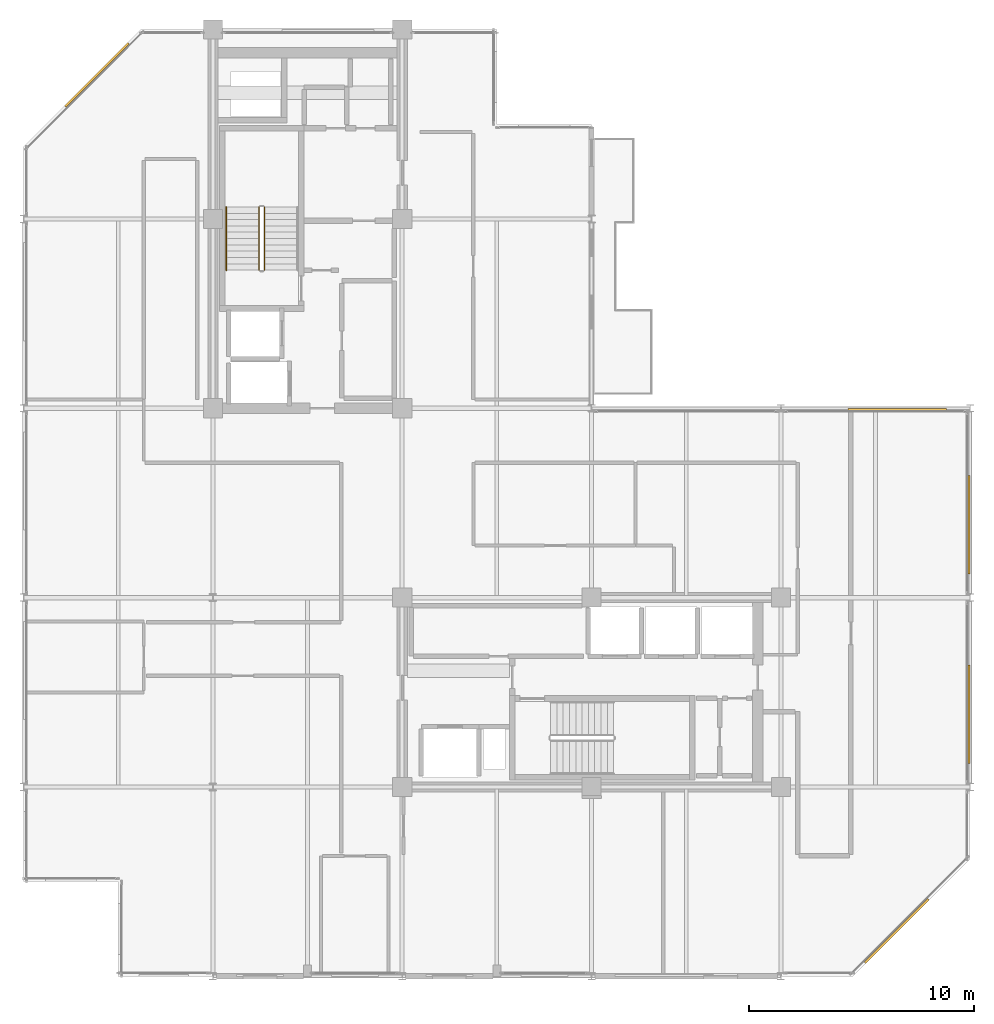
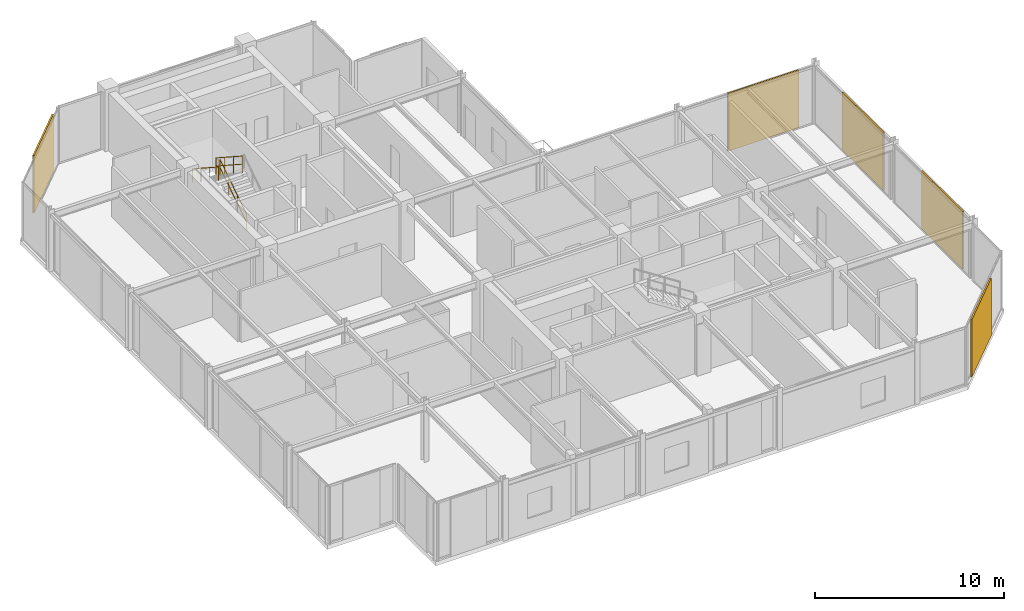
# One storey, part 25 of 26: 5 coverings, 3 railings.
"""IFC4 building model written with IfcOpenShell, lengths in metres."""

from ifc_helpers import new_model, si_unit, direction, frame, origin, origin_2d, place, context, subcontext, project, spatial, rectangle, circle, extrude, material, layer, layer_set, type_object, element, save


model = new_model("IFC4")

# Units and contexts
model_context = context("Model", 3, precision=1e-05, world=origin(), true_north=direction((0.0, 1.0)))
body_context = subcontext(model_context, "Body", "Model", "MODEL_VIEW")
ifc_project = project(units=[si_unit("LENGTHUNIT", "METRE"), si_unit("AREAUNIT", "SQUARE_METRE"), si_unit("VOLUMEUNIT", "CUBIC_METRE"), si_unit("PLANEANGLEUNIT", "RADIAN"), si_unit("MASSUNIT", "GRAM", prefix="KILO")], contexts=[model_context])

# Site, building, storey
site_placement = place(None, origin())
site = spatial("IfcSite", under=ifc_project, at=site_placement, CompositionType="ELEMENT")
building_placement = place(site_placement, origin())
building = spatial("IfcBuilding", under=site, at=building_placement, Name="Nerrivon Quay Data Exchange", CompositionType="ELEMENT")
storey_placement = place(building_placement, frame((0.0, 0.0, 270.199951171875)))
storey = spatial("IfcBuildingStorey", under=building, at=storey_placement, Name="L64", CompositionType="ELEMENT", Elevation=270.199951171875)

# Coverings
ifc_material_1 = material(Name="Architectural terracotta ceramic", Category="masonry")
ifc_layer = layer(ifc_material_1, 0.090087890625)
ifc_layer_set = layer_set([ifc_layer], Name="Architectural terracotta ceramic")
covering_type = type_object("IfcCoveringType", Name="COV-SCR-TERR", PredefinedType="CLADDING", material=ifc_layer_set)
for number, where, z_axis, x_axis, name in (
    (1, (38.744140625, 2.0078125, 0.0), (0.0, 0.0, 1.0), (-0.707106781187, -0.707106781187, 0.0), "L64 Perforated Terracotta SOLAR SCREEN Cassette"),
    (2, (3.255859375, 39.9921875, 0.0), (0.0, 0.0, 1.0), (0.707106781187, 0.707106781187, 0.0), "L64 Perforated Terracotta SOLAR SCREEN Cassette"),
):
    element("IfcCovering", number, at=place(storey_placement, frame(where, z_axis=z_axis, x_axis=x_axis)), inside=storey, type_object=covering_type, Name=name, PredefinedType="CLADDING", context=body_context, shape_type="SweptSolid", body=[
        extrude(rectangle(XDim=3.970947265625, YDim=0.090087890625, at=origin_2d()), origin(), (0.0, 0.0, 1.0), 3.72509765625),
    ])
covering_placement = place(storey_placement, frame((38.770751953125, 25.155029296875, 0.0), z_axis=(0.0, 0.0, 1.0), x_axis=(1.0, 0.0, 0.0)))
element("IfcCovering", 3, at=covering_placement, inside=storey, type_object=covering_type, Name="L64 Perforated Terracotta SOLAR SCREEN Cassette", PredefinedType="CLADDING", context=body_context, shape_type="SweptSolid", body=[
    extrude(rectangle(XDim=4.367919921875, YDim=0.090087890625, at=origin_2d()), origin(), (0.0, 0.0, 1.0), 3.72509765625),
])
for number, where, z_axis, x_axis, name in (
    (4, (41.955078125, 20.03125, 0.0), (0.0, 0.0, 1.0), (0.0, -1.0, 0.0), "L64 Perforated Terracotta SOLAR SCREEN Cassette"),
    (5, (41.955078125, 11.631103515625, 0.0), (0.0, 0.0, 1.0), (0.0, -1.0, 0.0), "L64 Perforated Terracotta SOLAR SCREEN Cassette"),
):
    element("IfcCovering", number, at=place(storey_placement, frame(where, z_axis=z_axis, x_axis=x_axis)), inside=storey, type_object=covering_type, Name=name, PredefinedType="CLADDING", context=body_context, shape_type="SweptSolid", body=[
        extrude(rectangle(XDim=4.35888671875, YDim=0.090087890625, at=origin_2d()), origin(), (0.0, 0.0, 1.0), 3.72509765625),
    ])

# Railings
ifc_material_2 = material(Name="Steel Grade C350L0 (350 MPa)", Category="steel")
railing_type_1 = type_object("IfcRailingType", Name="RAIL-HAND-HR1", PredefinedType="HANDRAIL", material=ifc_material_2)
railing_1_placement = place(storey_placement, frame((9.0, 34.1298828125, 2.181884765625)))
element("IfcRailing", 6, at=railing_1_placement, inside=storey, type_object=railing_type_1, Name="L64 ST01 stair handrail 2", PredefinedType="HANDRAIL", context=body_context, shape_type="SweptSolid", body=[
    extrude(circle(Radius=0.02392578125, at=origin_2d()), frame((0.0, 0.0, 0.8759765625), z_axis=(0.0, -0.83868413941, 0.544618136222), x_axis=(1.0, 0.0, 0.0)), (0.0, 0.0, 1.0), 3.33837890625),
    extrude(circle(Radius=0.02099609375, at=origin_2d()), origin(), (0.0, 0.0, 1.0), 0.851806640625),
    extrude(circle(Radius=0.02099609375, at=origin_2d()), frame((0.0, -0.933349609375, 0.60595703125)), (0.0, 0.0, 1.0), 0.851806640625),
    extrude(circle(Radius=0.02099609375, at=origin_2d()), frame((0.0, -1.866455078125, 1.212158203125)), (0.0, 0.0, 1.0), 0.851806640625),
    extrude(circle(Radius=0.02099609375, at=origin_2d()), frame((0.0, -2.7998046875, 1.818115234375)), (0.0, 0.0, 1.0), 0.851806640625),
])
railing_type_2 = type_object("IfcRailingType", Name="RAIL-STAIR-GR1", PredefinedType="BALUSTRADE", material=ifc_material_2)
railing_2_placement = place(storey_placement, frame((10.699951171875, 31.330078125, 0.181884765625)))
element("IfcRailing", 7, at=railing_2_placement, inside=storey, type_object=railing_type_2, Name="L64 ST01 stair guard 1", PredefinedType="BALUSTRADE", context=body_context, shape_type="SweptSolid", body=[
    extrude(circle(Radius=0.02392578125, at=origin_2d()), frame((0.0, 0.0, 1.076171875), z_axis=(0.0, 0.83868413941, 0.544618136222), x_axis=(-1.0, 0.0, 0.0)), (0.0, 0.0, 1.0), 3.33837890625),
    extrude(circle(Radius=0.02392578125, at=origin_2d()), frame((0.0, 0.0, 0.550048828125), z_axis=(0.0, 0.83868413941, 0.544618136222), x_axis=(-1.0, 0.0, 0.0)), (0.0, 0.0, 1.0), 3.33837890625),
    extrude(circle(Radius=0.02099609375, at=origin_2d()), origin(), (0.0, 0.0, 1.0), 1.052001953125),
    extrude(circle(Radius=0.02099609375, at=origin_2d()), frame((0.0, 0.933349609375, 0.60595703125)), (0.0, 0.0, 1.0), 1.052001953125),
    extrude(circle(Radius=0.02099609375, at=origin_2d()), frame((0.0, 1.866455078125, 1.212158203125)), (0.0, 0.0, 1.0), 1.052001953125),
    extrude(circle(Radius=0.02099609375, at=origin_2d()), frame((0.0, 2.7998046875, 1.818115234375)), (0.0, 0.0, 1.0), 1.052001953125),
])
railing_3_placement = place(storey_placement, frame((10.449951171875, 34.1298828125, 2.181884765625)))
element("IfcRailing", 8, at=railing_3_placement, inside=storey, type_object=railing_type_2, Name="L64 ST01 stair guard 3", PredefinedType="BALUSTRADE", context=body_context, shape_type="SweptSolid", body=[
    extrude(circle(Radius=0.02392578125, at=origin_2d()), frame((0.0, 0.0, 1.076171875), z_axis=(0.0, -0.83868413941, 0.544618136222), x_axis=(1.0, 0.0, 0.0)), (0.0, 0.0, 1.0), 3.33837890625),
    extrude(circle(Radius=0.02392578125, at=origin_2d()), frame((0.0, 0.0, 0.550048828125), z_axis=(0.0, -0.83868413941, 0.544618136222), x_axis=(1.0, 0.0, 0.0)), (0.0, 0.0, 1.0), 3.33837890625),
    extrude(circle(Radius=0.02099609375, at=origin_2d()), origin(), (0.0, 0.0, 1.0), 1.052001953125),
    extrude(circle(Radius=0.02099609375, at=origin_2d()), frame((0.0, -0.933349609375, 0.60595703125)), (0.0, 0.0, 1.0), 1.052001953125),
    extrude(circle(Radius=0.02099609375, at=origin_2d()), frame((0.0, -1.866455078125, 1.212158203125)), (0.0, 0.0, 1.0), 1.052001953125),
    extrude(circle(Radius=0.02099609375, at=origin_2d()), frame((0.0, -2.7998046875, 1.818115234375)), (0.0, 0.0, 1.0), 1.052001953125),
])

save(model, "model.ifc")
